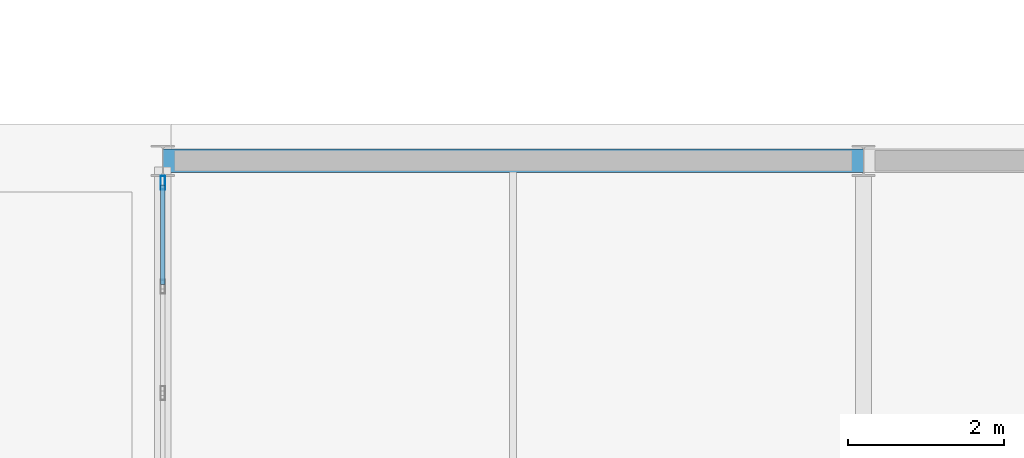
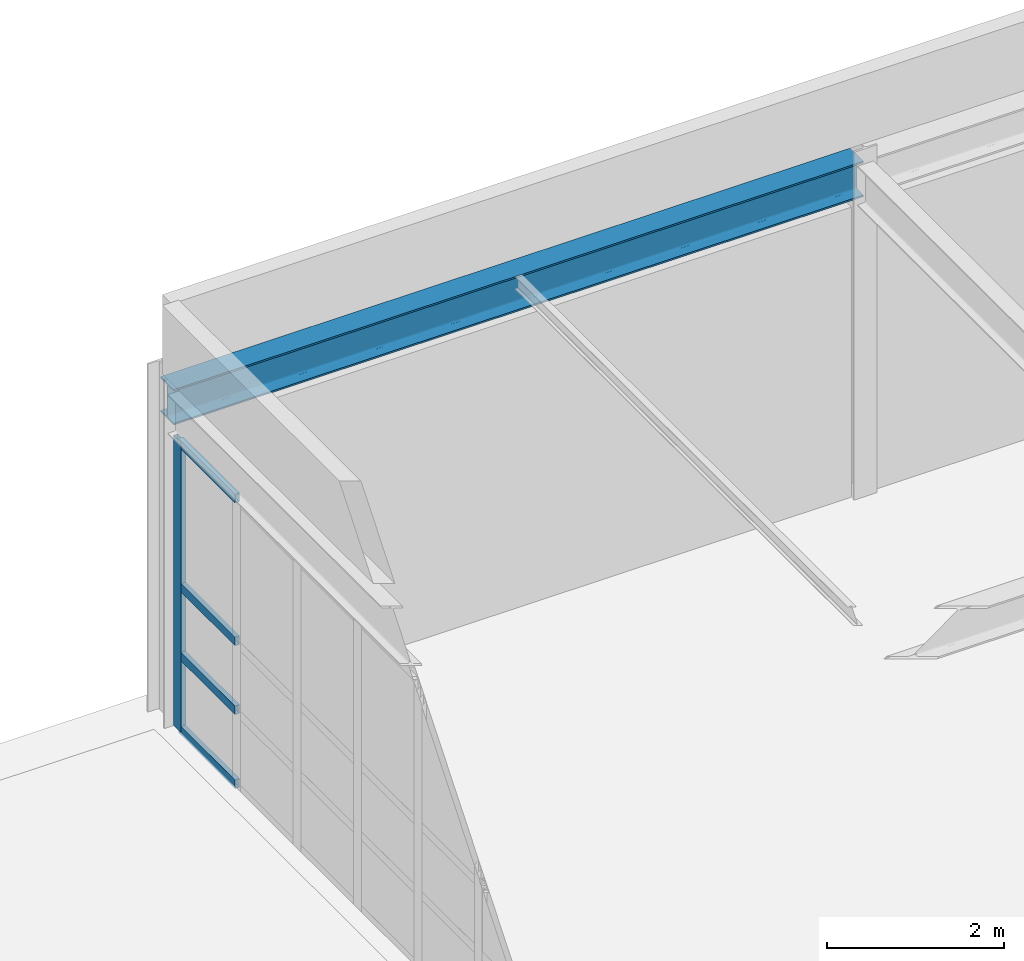
# One storey, part 12 of 38: 5 members, 1 beam, 1 element without a shape of its own.
"""IFC4 building model written with IfcOpenShell, lengths in metres."""

from ifc_helpers import new_model, si_unit, direction, frame, origin, origin_2d, place, context, subcontext, project, spatial, hollow_rectangle, i_section, extrude, material, material_profile, profile_set, type_object, element, aggregate, save


model = new_model("IFC4")

# Units and contexts
model_context = context("Model", 3, precision=1e-05, world=origin(), true_north=direction((0.0, 1.0)))
body_context = subcontext(model_context, "Body", "Model", "MODEL_VIEW")
ifc_project = project(units=[si_unit("LENGTHUNIT", "METRE"), si_unit("AREAUNIT", "SQUARE_METRE"), si_unit("VOLUMEUNIT", "CUBIC_METRE"), si_unit("PLANEANGLEUNIT", "RADIAN"), si_unit("MASSUNIT", "GRAM", prefix="KILO")], contexts=[model_context])

# Site, building, storey
site_placement = place(None, origin())
site = spatial("IfcSite", under=ifc_project, at=site_placement, CompositionType="ELEMENT")
building_placement = place(site_placement, origin())
building = spatial("IfcBuilding", under=site, at=building_placement, Name="Kaldris Quays Convention Centre", CompositionType="ELEMENT")
storey_placement = place(building_placement, frame((0.0, 0.0, 21.60009765625)))
storey = spatial("IfcBuildingStorey", under=building, at=storey_placement, Name="L04", CompositionType="ELEMENT", Elevation=21.60009765625)

# Curtain wall, members
ifc_material_1 = material(Name="Anodized aluminium AW-6060 and triple glazing", Category="aluminium")
curtain_wall_type = type_object("IfcCurtainWallType", Name="UNITISED CURTAIN WALL CW04", PredefinedType="NOTDEFINED", material=ifc_material_1)
curtain_wall_placement = place(storey_placement, origin())
curtain_wall = element("IfcCurtainWall", 1, at=curtain_wall_placement, inside=storey, type_object=curtain_wall_type, Name="L04 Unitised Curtain Wall CW04 135", PredefinedType="NOTDEFINED")
ifc_material_2 = material(Name="Anodized aluminium AW-6060", Category="aluminium")
ifc_material_profile_1 = material_profile(ifc_material_2, hollow_rectangle(XDim=0.06005859375, YDim=0.179931640625, WallThickness=0.0048828125, at=origin_2d()), Name="RHS 180x60x5")
ifc_profile_set_1 = profile_set([ifc_material_profile_1], Name="Anodized aluminium AW-6060")
member_type_1 = type_object("IfcMemberType", Name="CURTAIN MULLION CWM2", PredefinedType="MULLION", material=ifc_profile_set_1)
member_1_placement = place(storey_placement, frame((92.0, 54.6201171875, 0.0), z_axis=(0.0, 0.0, 1.0), x_axis=(-1.0, 0.0, 0.0)))
member_1 = element("IfcMember", 2, at=member_1_placement, type_object=member_type_1, Name="CW04 mullion 13", PredefinedType="MULLION", context=body_context, shape_type="SweptSolid", body=[
    extrude(hollow_rectangle(XDim=0.06005859375, YDim=0.179931640625, WallThickness=0.0048828125, at=origin_2d()), origin(), (0.0, 0.0, 1.0), 4.0),
])
ifc_material_profile_2 = material_profile(ifc_material_2, hollow_rectangle(XDim=0.06005859375, YDim=0.1201171875, WallThickness=0.00390625, at=origin_2d()), Name="RHS 120x60x4")
ifc_profile_set_2 = profile_set([ifc_material_profile_2], Name="Anodized aluminium AW-6060")
member_type_2 = type_object("IfcMemberType", Name="CURTAIN TRANSOM CWT1", PredefinedType="USERDEFINED", material=ifc_profile_set_2)
member_2_placement = place(storey_placement, frame((92.0, 53.313232421875, 0.02978515625), z_axis=(0.0, 1.0, 0.0), x_axis=(-1.0, 0.0, 0.0)))
member_2 = element("IfcMember", 3, at=member_2_placement, type_object=member_type_2, Name="CW04 transom 12.1", ObjectType="TRANSOM", PredefinedType="USERDEFINED", context=body_context, shape_type="SweptSolid", body=[
    extrude(hollow_rectangle(XDim=0.06005859375, YDim=0.1201171875, WallThickness=0.00390625, at=origin_2d()), origin(), (0.0, 0.0, 1.0), 1.27685546875),
])
member_3_placement = place(storey_placement, frame((92.0, 53.313232421875, 1.0498046875), z_axis=(0.0, 1.0, 0.0), x_axis=(-1.0, 0.0, 0.0)))
member_3 = element("IfcMember", 4, at=member_3_placement, type_object=member_type_2, Name="CW04 transom 12.2", ObjectType="TRANSOM", PredefinedType="USERDEFINED", context=body_context, shape_type="SweptSolid", body=[
    extrude(hollow_rectangle(XDim=0.06005859375, YDim=0.1201171875, WallThickness=0.00390625, at=origin_2d()), origin(), (0.0, 0.0, 1.0), 1.27685546875),
])
member_4_placement = place(storey_placement, frame((92.0, 53.313232421875, 2.0), z_axis=(0.0, 1.0, 0.0), x_axis=(-1.0, 0.0, 0.0)))
member_4 = element("IfcMember", 5, at=member_4_placement, type_object=member_type_2, Name="CW04 transom 12.3", ObjectType="TRANSOM", PredefinedType="USERDEFINED", context=body_context, shape_type="SweptSolid", body=[
    extrude(hollow_rectangle(XDim=0.06005859375, YDim=0.1201171875, WallThickness=0.00390625, at=origin_2d()), origin(), (0.0, 0.0, 1.0), 1.27685546875),
])
member_5_placement = place(storey_placement, frame((92.0, 53.313232421875, 3.969970703125), z_axis=(0.0, 1.0, 0.0), x_axis=(-1.0, 0.0, 0.0)))
member_5 = element("IfcMember", 6, at=member_5_placement, type_object=member_type_2, Name="CW04 transom 12.4", ObjectType="TRANSOM", PredefinedType="USERDEFINED", context=body_context, shape_type="SweptSolid", body=[
    extrude(hollow_rectangle(XDim=0.06005859375, YDim=0.1201171875, WallThickness=0.00390625, at=origin_2d()), origin(), (0.0, 0.0, 1.0), 1.27685546875),
])
aggregate(curtain_wall, [member_1, member_2, member_3, member_4, member_5])

# Beam
ifc_material_3 = material(Name="Steel S355J2", Category="steel")
ifc_material_profile_3 = material_profile(ifc_material_3, i_section(OverallWidth=0.300048828125, OverallDepth=0.489990234375, WebThickness=0.011962890625, FlangeThickness=0.02294921875, FilletRadius=0.027099609375, at=origin_2d()), Name="HEA 500")
ifc_profile_set_3 = profile_set([ifc_material_profile_3], Name="Steel S355J2")
beam_type = type_object("IfcBeamType", Name="STRUCTURAL BEAM BM09", PredefinedType="BEAM", material=ifc_profile_set_3)
beam_placement = place(storey_placement, frame((92.000732421875, 54.89990234375, 4.347900390625), z_axis=(1.0, 0.0, 0.0), x_axis=(0.0, 1.0, 0.0)))
element("IfcBeam", 7, at=beam_placement, inside=storey, type_object=beam_type, Name="L04 Girder BM09 17", PredefinedType="BEAM", context=body_context, shape_type="SweptSolid", body=[
    extrude(i_section(OverallWidth=0.300048828125, OverallDepth=0.489990234375, WebThickness=0.011962890625, FlangeThickness=0.02294921875, FilletRadius=0.027099609375, at=origin_2d()), origin(), (0.0, 0.0, 1.0), 8.99853515625),
])

save(model, "model.ifc")
